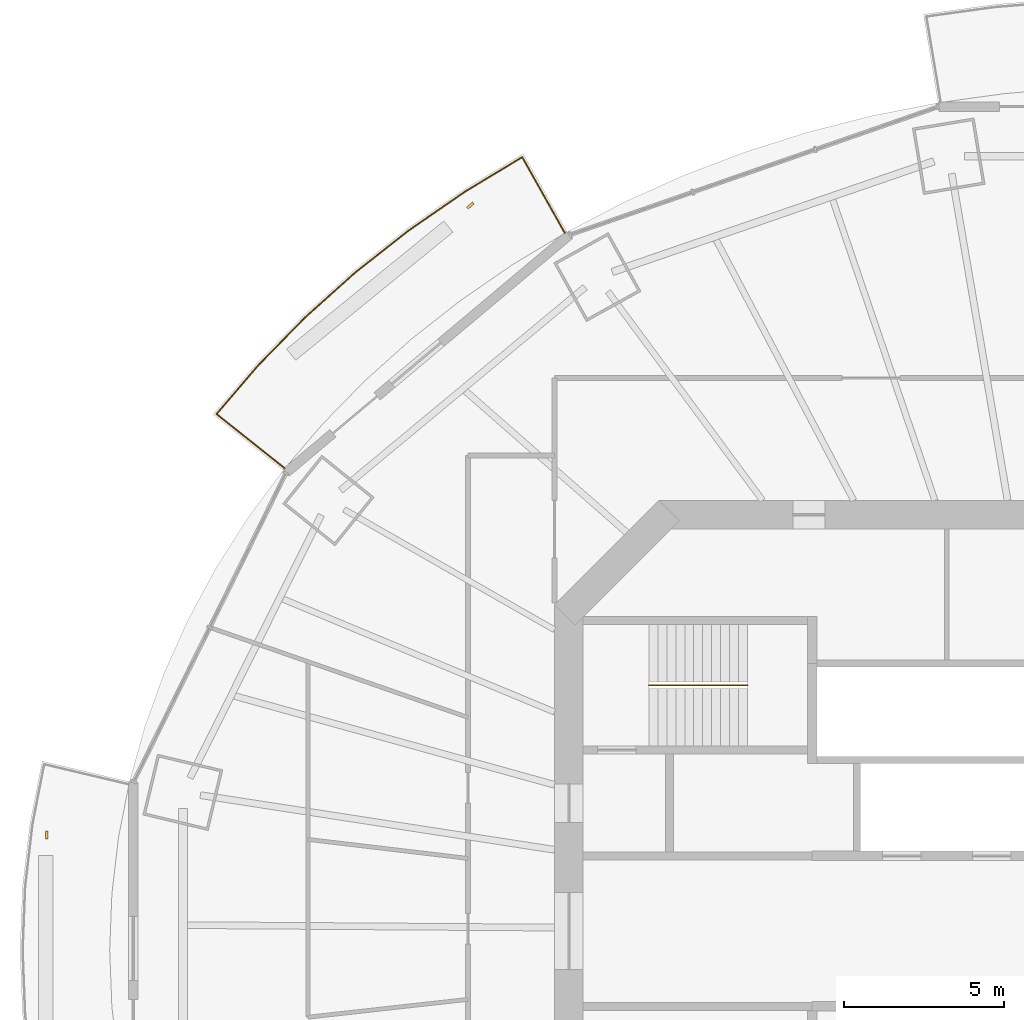
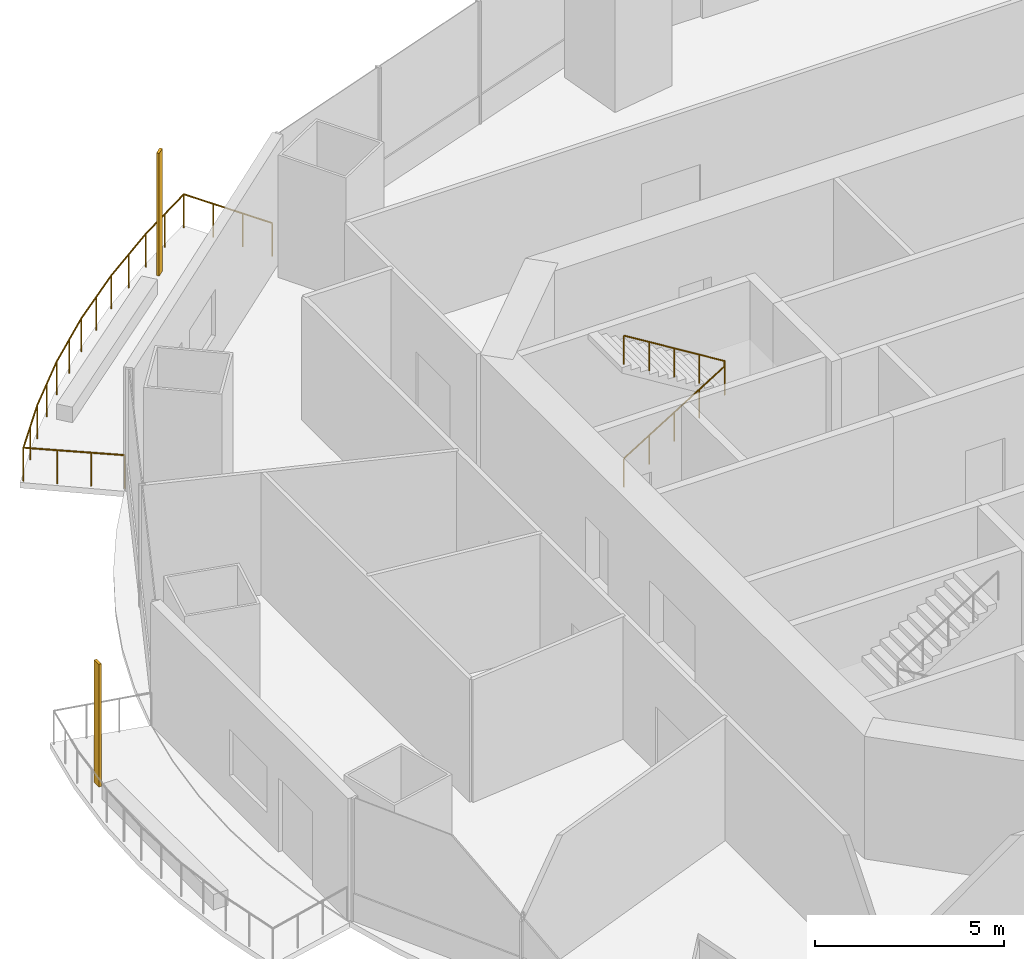
# One storey, part 17 of 20: 2 railings, 2 shading devices.
"""IFC4 building model written with IfcOpenShell, lengths in metres."""

from ifc_helpers import new_model, si_unit, direction, frame, origin, origin_2d, place, context, subcontext, project, spatial, rectangle, circle, extrude, material, material_profile, profile_set, type_object, element, save


model = new_model("IFC4")

# Units and contexts
model_context = context("Model", 3, precision=1e-05, world=origin(), true_north=direction((0.0, 1.0)))
body_context = subcontext(model_context, "Body", "Model", "MODEL_VIEW")
ifc_project = project(units=[si_unit("LENGTHUNIT", "METRE"), si_unit("AREAUNIT", "SQUARE_METRE"), si_unit("VOLUMEUNIT", "CUBIC_METRE"), si_unit("PLANEANGLEUNIT", "RADIAN"), si_unit("MASSUNIT", "GRAM", prefix="KILO")], contexts=[model_context])

# Site, building, storey
site_placement = place(None, origin())
site = spatial("IfcSite", under=ifc_project, at=site_placement, CompositionType="ELEMENT")
building_placement = place(site_placement, origin())
building = spatial("IfcBuilding", under=site, at=building_placement, Name="Marenthal Gate Tower", CompositionType="ELEMENT")
storey_placement = place(building_placement, frame((0.0, 0.0, 190.10009765625)))
storey = spatial("IfcBuildingStorey", under=building, at=storey_placement, Name="L41", CompositionType="ELEMENT", Elevation=190.10009765625)

# Railings
ifc_material_1 = material(Name="Stainless steel", Category="steel")
railing_type_1 = type_object("IfcRailingType", Name="Balcony guard 1100", PredefinedType="GUARDRAIL", material=ifc_material_1)
railing_1_placement = place(storey_placement, frame((-24.869384765625, 14.452392578125, 0.0)))
element("IfcRailing", 1, at=railing_1_placement, inside=storey, type_object=railing_type_1, Name="Balcony guard L41 bay 6", PredefinedType="GUARDRAIL", context=body_context, shape_type="SweptSolid", body=[
    extrude(circle(Radius=0.02392578125, at=origin_2d()), frame((0.0, 0.0, 1.076171875), z_axis=(-0.782654389214, 0.622282483065, -0.01471795893), x_axis=(-0.622349892908, -0.782739171626, 0.0)), (0.0, 0.0, 1.0), 2.720458984375),
    extrude(circle(Radius=0.02392578125, at=origin_2d()), frame((-2.129150390625, 1.69287109375, 1.0361328125), z_axis=(0.650205863605, 0.759758076583, 0.0), x_axis=(-0.759758076583, 0.650205863605, 0.0)), (0.0, 0.0, 1.0), 1.9921875),
    extrude(circle(Radius=0.02392578125, at=origin_2d()), frame((-0.833740234375, 3.20654296875, 1.0361328125), z_axis=(0.69888270328, 0.715236301551, 0.0), x_axis=(-0.715236301551, 0.69888270328, 0.0)), (0.0, 0.0, 1.0), 2.090087890625),
    extrude(circle(Radius=0.02392578125, at=origin_2d()), frame((0.626953125, 4.701416015625, 1.0361328125), z_axis=(0.744623035751, 0.667485231768, 0.0), x_axis=(-0.667485231768, 0.744623035751, 0.0)), (0.0, 0.0, 1.0), 2.10791015625),
    extrude(circle(Radius=0.02392578125, at=origin_2d()), frame((2.196533203125, 6.1083984375, 1.0361328125), z_axis=(0.786051281146, 0.61816129239, 0.0), x_axis=(-0.61816129239, 0.786051281146, 0.0)), (0.0, 0.0, 1.0), 2.1259765625),
    extrude(circle(Radius=0.02392578125, at=origin_2d()), frame((3.86767578125, 7.422607421875, 1.0361328125), z_axis=(0.823383437497, 0.567485431404, 0.0), x_axis=(-0.567485431404, 0.823383437497, 0.0)), (0.0, 0.0, 1.0), 2.143798828125),
    extrude(circle(Radius=0.02392578125, at=origin_2d()), frame((5.6328125, 8.63916015625, 1.0361328125), z_axis=(0.856269071779, 0.516530034668, 0.0), x_axis=(-0.516530034668, 0.856269071779, 0.0)), (0.0, 0.0, 1.0), 2.0810546875),
    extrude(circle(Radius=0.02392578125, at=origin_2d()), frame((7.414794921875, 9.714111328125, 1.0361328125), z_axis=(0.489479334585, -0.871890673908, 0.014718483842), x_axis=(0.871985129735, 0.489532362077, 0.0)), (0.0, 0.0, 1.0), 2.72021484375),
    extrude(circle(Radius=0.02099609375, at=origin_2d()), origin(), (0.0, 0.0, 1.0), 1.052001953125),
    extrude(circle(Radius=0.02099609375, at=origin_2d()), frame((-0.709716796875, 0.564208984375, -0.013427734375)), (0.0, 0.0, 1.0), 1.052001953125),
    extrude(circle(Radius=0.02099609375, at=origin_2d()), frame((-1.41943359375, 1.128662109375, -0.026611328125)), (0.0, 0.0, 1.0), 1.052001953125),
    extrude(circle(Radius=0.02099609375, at=origin_2d()), frame((-2.129150390625, 1.69287109375, -0.0400390625)), (0.0, 0.0, 1.0), 1.052001953125),
    extrude(circle(Radius=0.02099609375, at=origin_2d()), frame((-1.4814453125, 2.44970703125, -0.0400390625)), (0.0, 0.0, 1.0), 1.052001953125),
    extrude(circle(Radius=0.02099609375, at=origin_2d()), frame((-0.833740234375, 3.20654296875, -0.0400390625)), (0.0, 0.0, 1.0), 1.052001953125),
    extrude(circle(Radius=0.02099609375, at=origin_2d()), frame((-0.103515625, 3.9541015625, -0.0400390625)), (0.0, 0.0, 1.0), 1.052001953125),
    extrude(circle(Radius=0.02099609375, at=origin_2d()), frame((0.626953125, 4.701416015625, -0.0400390625)), (0.0, 0.0, 1.0), 1.052001953125),
    extrude(circle(Radius=0.02099609375, at=origin_2d()), frame((1.41162109375, 5.40478515625, -0.0400390625)), (0.0, 0.0, 1.0), 1.052001953125),
    extrude(circle(Radius=0.02099609375, at=origin_2d()), frame((2.196533203125, 6.1083984375, -0.0400390625)), (0.0, 0.0, 1.0), 1.052001953125),
    extrude(circle(Radius=0.02099609375, at=origin_2d()), frame((3.0322265625, 6.765625, -0.0400390625)), (0.0, 0.0, 1.0), 1.052001953125),
    extrude(circle(Radius=0.02099609375, at=origin_2d()), frame((3.86767578125, 7.422607421875, -0.0400390625)), (0.0, 0.0, 1.0), 1.052001953125),
    extrude(circle(Radius=0.02099609375, at=origin_2d()), frame((4.750244140625, 8.03076171875, -0.0400390625)), (0.0, 0.0, 1.0), 1.052001953125),
    extrude(circle(Radius=0.02099609375, at=origin_2d()), frame((5.6328125, 8.63916015625, -0.0400390625)), (0.0, 0.0, 1.0), 1.052001953125),
    extrude(circle(Radius=0.02099609375, at=origin_2d()), frame((6.52392578125, 9.1767578125, -0.0400390625)), (0.0, 0.0, 1.0), 1.052001953125),
    extrude(circle(Radius=0.02099609375, at=origin_2d()), frame((7.414794921875, 9.714111328125, -0.0400390625)), (0.0, 0.0, 1.0), 1.052001953125),
    extrude(circle(Radius=0.02099609375, at=origin_2d()), frame((7.858642578125, 8.923583984375, -0.026611328125)), (0.0, 0.0, 1.0), 1.052001953125),
    extrude(circle(Radius=0.02099609375, at=origin_2d()), frame((8.302490234375, 8.1328125, -0.013427734375)), (0.0, 0.0, 1.0), 1.052001953125),
    extrude(circle(Radius=0.02099609375, at=origin_2d()), frame((8.746337890625, 7.34228515625, 0.0)), (0.0, 0.0, 1.0), 1.052001953125),
])
ifc_material_2 = material(Name="Stainless steel", Category="steel")
railing_type_2 = type_object("IfcRailingType", Name="Stair handrail", PredefinedType="HANDRAIL", material=ifc_material_2)
railing_2_placement = place(storey_placement, frame((-13.5, 7.675048828125, 0.1728515625)))
element("IfcRailing", 2, at=railing_2_placement, inside=storey, type_object=railing_type_2, Name="Handrail ST1", PredefinedType="HANDRAIL", context=body_context, shape_type="SweptSolid", body=[
    extrude(circle(Radius=0.0224609375, at=origin_2d()), frame((0.0, 0.0, 0.927490234375), z_axis=(0.850835241893, 0.0, 0.525432575268), x_axis=(0.0, 1.0, 0.0)), (0.0, 0.0, 1.0), 3.6201171875),
    extrude(circle(Radius=0.0224609375, at=origin_2d()), frame((3.080078125, 0.0, 2.82958984375), z_axis=(0.0, 0.0, 1.0), x_axis=(1.0, 0.0, 0.0)), (0.0, 0.0, 1.0), 0.1728515625),
    extrude(circle(Radius=0.0224609375, at=origin_2d()), frame((3.080078125, 0.0, 3.00244140625), z_axis=(-0.850835241893, 0.0, 0.525432575268), x_axis=(0.0, -1.0, 0.0)), (0.0, 0.0, 1.0), 3.6201171875),
    extrude(circle(Radius=0.02001953125, at=origin_2d()), origin(), (0.0, 0.0, 1.0), 0.905029296875),
    extrude(circle(Radius=0.02001953125, at=origin_2d()), frame((0.77001953125, 0.0, 0.4755859375)), (0.0, 0.0, 1.0), 0.905029296875),
    extrude(circle(Radius=0.02001953125, at=origin_2d()), frame((1.5400390625, 0.0, 0.951171875)), (0.0, 0.0, 1.0), 0.905029296875),
    extrude(circle(Radius=0.02001953125, at=origin_2d()), frame((2.31005859375, 0.0, 1.426513671875)), (0.0, 0.0, 1.0), 0.905029296875),
    extrude(circle(Radius=0.02001953125, at=origin_2d()), frame((3.080078125, 0.0, 1.902099609375)), (0.0, 0.0, 1.0), 0.905029296875),
    extrude(circle(Radius=0.02001953125, at=origin_2d()), frame((3.080078125, 0.0, 2.074951171875)), (0.0, 0.0, 1.0), 0.905029296875),
    extrude(circle(Radius=0.02001953125, at=origin_2d()), frame((2.31005859375, 0.0, 2.550537109375)), (0.0, 0.0, 1.0), 0.905029296875),
    extrude(circle(Radius=0.02001953125, at=origin_2d()), frame((1.5400390625, 0.0, 3.02587890625)), (0.0, 0.0, 1.0), 0.905029296875),
    extrude(circle(Radius=0.02001953125, at=origin_2d()), frame((0.77001953125, 0.0, 3.50146484375)), (0.0, 0.0, 1.0), 0.905029296875),
    extrude(circle(Radius=0.02001953125, at=origin_2d()), frame((0.0, 0.0, 3.97705078125)), (0.0, 0.0, 1.0), 0.905029296875),
])

# Shading devices
ifc_material_3 = material(Name="Terracotta", Category="masonry")
ifc_material_profile = material_profile(ifc_material_3, rectangle(XDim=0.25, YDim=0.080078125, at=origin_2d()), Name="Terracotta baguette 250x80")
ifc_profile_set = profile_set([ifc_material_profile], Name="Terracotta")
shading_device_type = type_object("IfcShadingDeviceType", Name="Terracotta BAGUETTE SCREEN 250x80", PredefinedType="USERDEFINED", material=ifc_profile_set)
for number, where, z_axis, x_axis, name in (
    (3, (-19.075439453125, 22.655029296875, -0.0400390625), (0.0, 0.0, 1.0), (-0.765779593212, -0.64310311352, 0.0), "Terracotta BAGUETTE L41 bay 6L"),
    (4, (-32.302001953125, 3.00927734375, -0.0400390625), (0.0, 0.0, 1.0), (0.0, -1.0, 0.0), "Terracotta BAGUETTE L41 bay 8L"),
):
    element("IfcShadingDevice", number, at=place(storey_placement, frame(where, z_axis=z_axis, x_axis=x_axis)), inside=storey, type_object=shading_device_type, Name=name, ObjectType="BAGUETTE SCREEN", PredefinedType="USERDEFINED", context=body_context, shape_type="SweptSolid", body=[
        extrude(rectangle(XDim=0.25, YDim=0.080078125, at=origin_2d()), origin(), (0.0, 0.0, 1.0), 3.969970703125),
    ])

save(model, "model.ifc")
